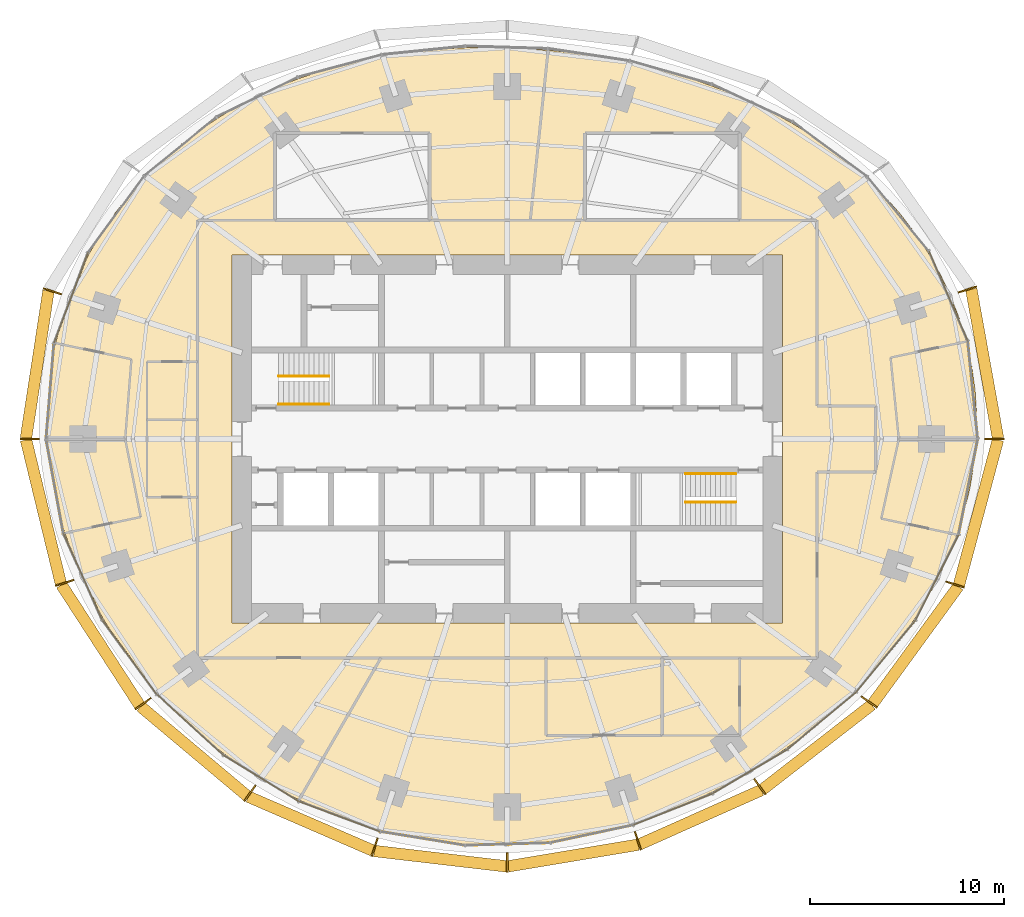
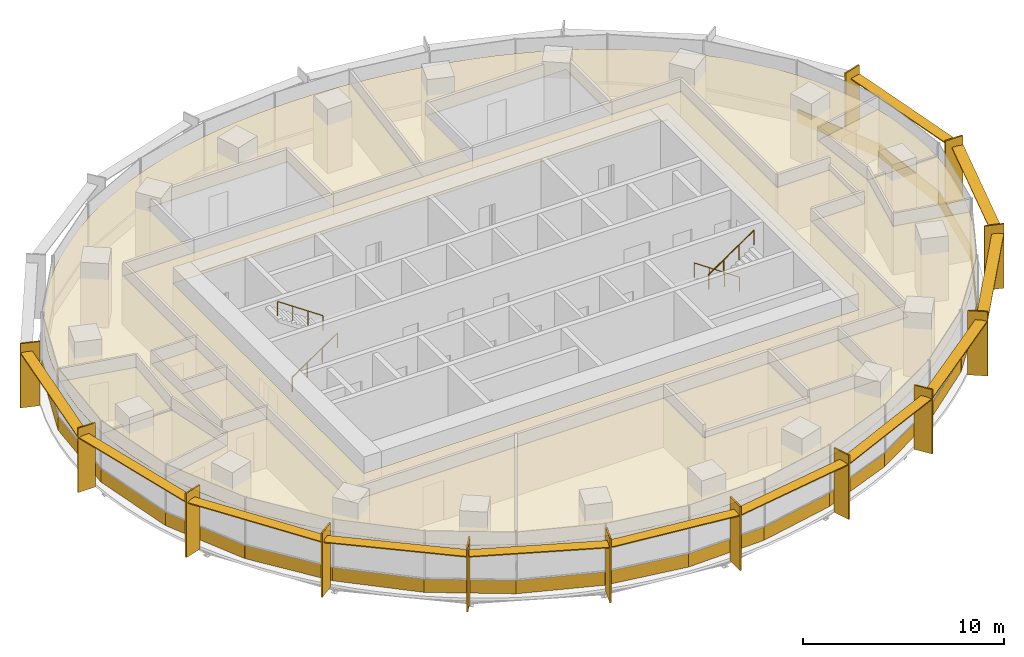
# One storey, part 13 of 14: 30 coverings, 25 shading devices, 4 railings.
"""IFC4 building model written with IfcOpenShell, lengths in metres."""

from ifc_helpers import new_model, si_unit, direction, frame, origin, origin_2d, place, context, subcontext, project, spatial, polyline, rectangle, circle, outline, extrude, material, layer, layer_set, type_object, element, save


model = new_model("IFC4")

# Units and contexts
model_context = context("Model", 3, precision=1e-05, world=origin(), true_north=direction((0.0, 1.0)))
body_context = subcontext(model_context, "Body", "Model", "MODEL_VIEW")
ifc_project = project(units=[si_unit("LENGTHUNIT", "METRE"), si_unit("AREAUNIT", "SQUARE_METRE"), si_unit("VOLUMEUNIT", "CUBIC_METRE"), si_unit("PLANEANGLEUNIT", "RADIAN"), si_unit("MASSUNIT", "GRAM", prefix="KILO")], contexts=[model_context])

# Site, building, storey
site_placement = place(None, origin())
site = spatial("IfcSite", under=ifc_project, at=site_placement, CompositionType="ELEMENT")
building_placement = place(site_placement, origin())
building = spatial("IfcBuilding", under=site, at=building_placement, Name="Marramba Exchange Tower", CompositionType="ELEMENT")
storey_placement = place(building_placement, frame((0.0, 0.0, 183.800048828125)))
storey = spatial("IfcBuildingStorey", under=building, at=storey_placement, Name="L44", CompositionType="ELEMENT", Elevation=183.800048828125)

# Shading devices
ifc_material_1 = material(Name="Aluminium blade, timber-look bronze finish", Category="wood")
ifc_layer_1 = layer(ifc_material_1, 0.080078125)
ifc_layer_set_1 = layer_set([ifc_layer_1], Name="Floor-edge blade 1000x80")
shading_device_type_1 = type_object("IfcShadingDeviceType", Name="Floor-edge blade 1000x80", PredefinedType="USERDEFINED", material=ifc_layer_set_1)
for number, where, z_axis, x_axis, name in (
    (1, (25.14404296875, 0.0, -0.159912109375), (0.0, 0.0, 1.0), (1.0, 0.0, 0.0), "Floor-edge blade FB1 L44 TC01"),
    (2, (23.757080078125, 7.718994140625, -0.159912109375), (0.0, 0.0, 1.0), (0.951056516295, 0.309016994375, 0.0), "Floor-edge blade FB1 L44 TC02"),
    (3, (-23.488525390625, 7.6318359375, -0.159912109375), (0.0, 0.0, 1.0), (-0.951056516295, 0.309016994375, 0.0), "Floor-edge blade FB1 L44 TC10"),
    (4, (-24.656005859375, 0.0, -0.159912109375), (0.0, 0.0, 1.0), (-1.0, 0.0, 0.0), "Floor-edge blade FB1 L44 TC11"),
    (5, (-22.848876953125, -7.424072265625, -0.159912109375), (0.0, 0.0, 1.0), (-0.951056516295, -0.309016994375, 0.0), "Floor-edge blade FB1 L44 TC12"),
    (6, (-18.7998046875, -13.658935546875, -0.159912109375), (0.0, 0.0, 1.0), (-0.809016994375, -0.587785252292, 0.0), "Floor-edge blade FB1 L44 TC13"),
    (7, (-13.2841796875, -18.2841796875, -0.159912109375), (0.0, 0.0, 1.0), (-0.587785252292, -0.809016994375, 0.0), "Floor-edge blade FB1 L44 TC14"),
    (8, (-6.845703125, -21.069091796875, -0.159912109375), (0.0, 0.0, 1.0), (-0.309016994375, -0.951056516295, 0.0), "Floor-edge blade FB1 L44 TC15"),
    (9, (0.0, -21.86376953125, -0.159912109375), (0.0, 0.0, 1.0), (0.0, -1.0, 0.0), "Floor-edge blade FB1 L44 TC16"),
    (10, (6.739501953125, -20.741943359375, -0.159912109375), (0.0, 0.0, 1.0), (0.309016994375, -0.951056516295, 0.0), "Floor-edge blade FB1 L44 TC17"),
    (11, (13.0380859375, -17.9453125, -0.159912109375), (0.0, 0.0, 1.0), (0.587785252292, -0.809016994375, 0.0), "Floor-edge blade FB1 L44 TC18"),
    (12, (18.6845703125, -13.5751953125, -0.159912109375), (0.0, 0.0, 1.0), (0.809016994375, -0.587785252292, 0.0), "Floor-edge blade FB1 L44 TC19"),
    (13, (23.1171875, -7.51123046875, -0.159912109375), (0.0, 0.0, 1.0), (0.951056516295, -0.309016994375, 0.0), "Floor-edge blade FB1 L44 TC20"),
):
    element("IfcShadingDevice", number, at=place(storey_placement, frame(where, z_axis=z_axis, x_axis=x_axis)), inside=storey, type_object=shading_device_type_1, Name=name, ObjectType="FIN", PredefinedType="USERDEFINED", context=body_context, shape_type="SweptSolid", body=[
        extrude(rectangle(XDim=1.0, YDim=0.080078125, at=origin_2d()), origin(), (0.0, 0.0, 1.0), 3.89990234375),
    ])
ifc_material_2 = material(Name="Aluminium sunshade, bronze anodised", Category="aluminium")
ifc_layer_2 = layer(ifc_material_2, 0.06005859375)
ifc_layer_set_2 = layer_set([ifc_layer_2], Name="SUNSHADE blade 600x60")
shading_device_type_2 = type_object("IfcShadingDeviceType", Name="SUNSHADE blade 600x60", PredefinedType="USERDEFINED", material=ifc_layer_set_2)
shading_device_1_placement = place(storey_placement, frame((24.6455078125, 3.890380859375, 3.159912109375), z_axis=(0.0, 0.0, 1.0), x_axis=(-0.176690623809, 0.984266439262, 0.0)))
element("IfcShadingDevice", 14, at=shading_device_1_placement, inside=storey, type_object=shading_device_type_2, Name="Sunshade SS1 L44 bay 01", ObjectType="SUNSHADE", PredefinedType="USERDEFINED", context=body_context, shape_type="SweptSolid", body=[
    extrude(rectangle(XDim=7.8251953125, YDim=0.60009765625, at=origin_2d()), origin(), (0.0, 0.0, 1.0), 0.06005859375),
])
shading_device_2_placement = place(storey_placement, frame((-24.267333984375, 3.846923828125, 3.159912109375), z_axis=(0.0, 0.0, 1.0), x_axis=(-0.151240669327, -0.988496970123, 0.0)))
element("IfcShadingDevice", 15, at=shading_device_2_placement, inside=storey, type_object=shading_device_type_2, Name="Sunshade SS1 L44 bay 10", ObjectType="SUNSHADE", PredefinedType="USERDEFINED", context=body_context, shape_type="SweptSolid", body=[
    extrude(rectangle(XDim=7.703369140625, YDim=0.60009765625, at=origin_2d()), origin(), (0.0, 0.0, 1.0), 0.06005859375),
])
shading_device_3_placement = place(storey_placement, frame((-23.947509765625, -3.742919921875, 3.159912109375), z_axis=(0.0, 0.0, 1.0), x_axis=(0.235861488454, -0.971786683519, 0.0)))
element("IfcShadingDevice", 16, at=shading_device_3_placement, inside=storey, type_object=shading_device_type_2, Name="Sunshade SS1 L44 bay 11", ObjectType="SUNSHADE", PredefinedType="USERDEFINED", context=body_context, shape_type="SweptSolid", body=[
    extrude(rectangle(XDim=7.623291015625, YDim=0.60009765625, at=origin_2d()), origin(), (0.0, 0.0, 1.0), 0.06005859375),
])
shading_device_4_placement = place(storey_placement, frame((-21.000244140625, -10.631103515625, 3.159912109375), z_axis=(0.0, 0.0, 1.0), x_axis=(0.543921771105, -0.839135928749, 0.0)))
element("IfcShadingDevice", 17, at=shading_device_4_placement, inside=storey, type_object=shading_device_type_2, Name="Sunshade SS1 L44 bay 12", ObjectType="SUNSHADE", PredefinedType="USERDEFINED", context=body_context, shape_type="SweptSolid", body=[
    extrude(rectangle(XDim=7.41650390625, YDim=0.60009765625, at=origin_2d()), origin(), (0.0, 0.0, 1.0), 0.06005859375),
])
shading_device_5_placement = place(storey_placement, frame((-16.181640625, -16.111083984375, 3.159912109375), z_axis=(0.0, 0.0, 1.0), x_axis=(0.765761970568, -0.643124097225, 0.0)))
element("IfcShadingDevice", 18, at=shading_device_5_placement, inside=storey, type_object=shading_device_type_2, Name="Sunshade SS1 L44 bay 13", ObjectType="SUNSHADE", PredefinedType="USERDEFINED", context=body_context, shape_type="SweptSolid", body=[
    extrude(rectangle(XDim=7.1806640625, YDim=0.60009765625, at=origin_2d()), origin(), (0.0, 0.0, 1.0), 0.06005859375),
])
shading_device_6_placement = place(storey_placement, frame((-10.154541015625, -19.8525390625, 3.159912109375), z_axis=(0.0, 0.0, 1.0), x_axis=(0.917589256742, -0.397529817639, 0.0)))
element("IfcShadingDevice", 19, at=shading_device_6_placement, inside=storey, type_object=shading_device_type_2, Name="Sunshade SS1 L44 bay 14", ObjectType="SUNSHADE", PredefinedType="USERDEFINED", context=body_context, shape_type="SweptSolid", body=[
    extrude(rectangle(XDim=6.997314453125, YDim=0.60009765625, at=origin_2d()), origin(), (0.0, 0.0, 1.0), 0.06005859375),
])
shading_device_7_placement = place(storey_placement, frame((-3.453857421875, -21.66162109375, 3.159912109375), z_axis=(0.0, 0.0, 1.0), x_axis=(0.993288257497, -0.1156651958, 0.0)))
element("IfcShadingDevice", 20, at=shading_device_7_placement, inside=storey, type_object=shading_device_type_2, Name="Sunshade SS1 L44 bay 15", ObjectType="SUNSHADE", PredefinedType="USERDEFINED", context=body_context, shape_type="SweptSolid", body=[
    extrude(rectangle(XDim=6.874267578125, YDim=0.60009765625, at=origin_2d()), origin(), (0.0, 0.0, 1.0), 0.06005859375),
])
shading_device_8_placement = place(storey_placement, frame((3.400634765625, -21.498046875, 3.159912109375), z_axis=(0.0, 0.0, 1.0), x_axis=(0.986439622954, 0.164124557168, 0.0)))
element("IfcShadingDevice", 21, at=shading_device_8_placement, inside=storey, type_object=shading_device_type_2, Name="Sunshade SS1 L44 bay 16", ObjectType="SUNSHADE", PredefinedType="USERDEFINED", context=body_context, shape_type="SweptSolid", body=[
    extrude(rectangle(XDim=6.814697265625, YDim=0.60009765625, at=origin_2d()), origin(), (0.0, 0.0, 1.0), 0.06005859375),
])
shading_device_9_placement = place(storey_placement, frame((9.978515625, -19.519775390625, 3.159912109375), z_axis=(0.0, 0.0, 1.0), x_axis=(0.913771678576, 0.406228161792, 0.0)))
element("IfcShadingDevice", 22, at=shading_device_9_placement, inside=storey, type_object=shading_device_type_2, Name="Sunshade SS1 L44 bay 17", ObjectType="SUNSHADE", PredefinedType="USERDEFINED", context=body_context, shape_type="SweptSolid", body=[
    extrude(rectangle(XDim=6.8740234375, YDim=0.60009765625, at=origin_2d()), origin(), (0.0, 0.0, 1.0), 0.06005859375),
])
shading_device_10_placement = place(storey_placement, frame((16.0009765625, -15.89990234375, 3.159912109375), z_axis=(0.0, 0.0, 1.0), x_axis=(0.790133082515, 0.612935324414, 0.0)))
element("IfcShadingDevice", 23, at=shading_device_10_placement, inside=storey, type_object=shading_device_type_2, Name="Sunshade SS1 L44 bay 18", ObjectType="SUNSHADE", PredefinedType="USERDEFINED", context=body_context, shape_type="SweptSolid", body=[
    extrude(rectangle(XDim=7.122314453125, YDim=0.60009765625, at=origin_2d()), origin(), (0.0, 0.0, 1.0), 0.06005859375),
])
shading_device_11_placement = place(storey_placement, frame((21.076904296875, -10.6328125, 3.159912109375), z_axis=(0.0, 0.0, 1.0), x_axis=(0.589071758439, 0.808080728275, 0.0)))
element("IfcShadingDevice", 24, at=shading_device_11_placement, inside=storey, type_object=shading_device_type_2, Name="Sunshade SS1 L44 bay 19", ObjectType="SUNSHADE", PredefinedType="USERDEFINED", context=body_context, shape_type="SweptSolid", body=[
    extrude(rectangle(XDim=7.4931640625, YDim=0.60009765625, at=origin_2d()), origin(), (0.0, 0.0, 1.0), 0.06005859375),
])
shading_device_12_placement = place(storey_placement, frame((24.32568359375, -3.78662109375, 3.159912109375), z_axis=(0.0, 0.0, 1.0), x_axis=(0.259692365654, 0.965691397508, 0.0)))
element("IfcShadingDevice", 25, at=shading_device_12_placement, inside=storey, type_object=shading_device_type_2, Name="Sunshade SS1 L44 bay 20", ObjectType="SUNSHADE", PredefinedType="USERDEFINED", context=body_context, shape_type="SweptSolid", body=[
    extrude(rectangle(XDim=7.76220703125, YDim=0.60009765625, at=origin_2d()), origin(), (0.0, 0.0, 1.0), 0.06005859375),
])

# Coverings
ifc_material_3 = material(Name="Aluminium spandrel panel, bronze anodised, insulated", Category="aluminium")
ifc_layer_3 = layer(ifc_material_3, 0.050048828125)
ifc_layer_set_3 = layer_set([ifc_layer_3], Name="Spandrel panel 800")
covering_type_1 = type_object("IfcCoveringType", Name="Spandrel panel 800", PredefinedType="CLADDING", material=ifc_layer_set_3)
covering_1_placement = place(storey_placement, frame((24.036376953125, 2.527099609375, 0.0), z_axis=(0.0, 0.0, 1.0), x_axis=(-0.101422478545, 0.994843445395, 0.0)))
element("IfcCovering", 26, at=covering_1_placement, inside=storey, type_object=covering_type_1, Name="Spandrel panel SP1 L44 F01", PredefinedType="CLADDING", context=body_context, shape_type="SweptSolid", body=[
    extrude(rectangle(XDim=5.08056640625, YDim=0.050048828125, at=origin_2d()), origin(), (0.0, 0.0, 1.0), 0.800048828125),
])
covering_2_placement = place(storey_placement, frame((22.77734375, 7.374755859375, 0.0), z_axis=(0.0, 0.0, 1.0), x_axis=(-0.396193349205, 0.918167103552, 0.0)))
element("IfcCovering", 27, at=covering_2_placement, inside=storey, type_object=covering_type_1, Name="Spandrel panel SP1 L44 F02", PredefinedType="CLADDING", context=body_context, shape_type="SweptSolid", body=[
    extrude(rectangle(XDim=5.0546875, YDim=0.050048828125, at=origin_2d()), origin(), (0.0, 0.0, 1.0), 0.800048828125),
])
covering_3_placement = place(storey_placement, frame((-22.518798828125, 7.30419921875, 0.0), z_axis=(0.0, 0.0, 1.0), x_axis=(-0.351951514464, -0.936018232443, 0.0)))
element("IfcCovering", 28, at=covering_3_placement, inside=storey, type_object=covering_type_1, Name="Spandrel panel SP1 L44 F14", PredefinedType="CLADDING", context=body_context, shape_type="SweptSolid", body=[
    extrude(rectangle(XDim=4.981689453125, YDim=0.050048828125, at=origin_2d()), origin(), (0.0, 0.0, 1.0), 0.800048828125),
])
covering_4_placement = place(storey_placement, frame((-23.600830078125, 2.486328125, 0.0), z_axis=(0.0, 0.0, 1.0), x_axis=(-0.082280881776, -0.996609179415, 0.0)))
element("IfcCovering", 29, at=covering_4_placement, inside=storey, type_object=covering_type_1, Name="Spandrel panel SP1 L44 F15", PredefinedType="CLADDING", context=body_context, shape_type="SweptSolid", body=[
    extrude(rectangle(XDim=4.98974609375, YDim=0.050048828125, at=origin_2d()), origin(), (0.0, 0.0, 1.0), 0.800048828125),
])
covering_5_placement = place(storey_placement, frame((-23.359619140625, -2.43505859375, 0.0), z_axis=(0.0, 0.0, 1.0), x_axis=(0.180327442841, -0.983606635479, 0.0)))
element("IfcCovering", 30, at=covering_5_placement, inside=storey, type_object=covering_type_1, Name="Spandrel panel SP1 L44 F16", PredefinedType="CLADDING", context=body_context, shape_type="SweptSolid", body=[
    extrude(rectangle(XDim=4.951416015625, YDim=0.050048828125, at=origin_2d()), origin(), (0.0, 0.0, 1.0), 0.800048828125),
])
covering_6_placement = place(storey_placement, frame((-21.920654296875, -7.093994140625, 0.0), z_axis=(0.0, 0.0, 1.0), x_axis=(0.407557582153, -0.913179509861, 0.0)))
element("IfcCovering", 31, at=covering_6_placement, inside=storey, type_object=covering_type_1, Name="Spandrel panel SP1 L44 F17", PredefinedType="CLADDING", context=body_context, shape_type="SweptSolid", body=[
    extrude(rectangle(XDim=4.870361328125, YDim=0.050048828125, at=origin_2d()), origin(), (0.0, 0.0, 1.0), 0.800048828125),
])
covering_7_placement = place(storey_placement, frame((-19.520263671875, -11.238525390625, 0.0), z_axis=(0.0, 0.0, 1.0), x_axis=(0.591223097085, -0.80650805915, 0.0)))
element("IfcCovering", 32, at=covering_7_placement, inside=storey, type_object=covering_type_1, Name="Spandrel panel SP1 L44 F18", PredefinedType="CLADDING", context=body_context, shape_type="SweptSolid", body=[
    extrude(rectangle(XDim=4.762939453125, YDim=0.050048828125, at=origin_2d()), origin(), (0.0, 0.0, 1.0), 0.800048828125),
])
covering_8_placement = place(storey_placement, frame((-16.396240234375, -14.73193359375, 0.0), z_axis=(0.0, 0.0, 1.0), x_axis=(0.737203259599, -0.67567103981, 0.0)))
element("IfcCovering", 33, at=covering_8_placement, inside=storey, type_object=covering_type_1, Name="Spandrel panel SP1 L44 F19", PredefinedType="CLADDING", context=body_context, shape_type="SweptSolid", body=[
    extrude(rectangle(XDim=4.65478515625, YDim=0.050048828125, at=origin_2d()), origin(), (0.0, 0.0, 1.0), 0.800048828125),
])
covering_9_placement = place(storey_placement, frame((-12.73583984375, -17.497802734375, 0.0), z_axis=(0.0, 0.0, 1.0), x_axis=(0.852301010692, -0.52305161043, 0.0)))
element("IfcCovering", 34, at=covering_9_placement, inside=storey, type_object=covering_type_1, Name="Spandrel panel SP1 L44 F20", PredefinedType="CLADDING", context=body_context, shape_type="SweptSolid", body=[
    extrude(rectangle(XDim=4.563232421875, YDim=0.050048828125, at=origin_2d()), origin(), (0.0, 0.0, 1.0), 0.800048828125),
])
covering_10_placement = place(storey_placement, frame((-8.687255859375, -19.47607421875, 0.0), z_axis=(0.0, 0.0, 1.0), x_axis=(0.936951581946, -0.349459200892, 0.0)))
element("IfcCovering", 35, at=covering_10_placement, inside=storey, type_object=covering_type_1, Name="Spandrel panel SP1 L44 F21", PredefinedType="CLADDING", context=body_context, shape_type="SweptSolid", body=[
    extrude(rectangle(XDim=4.491455078125, YDim=0.050048828125, at=origin_2d()), origin(), (0.0, 0.0, 1.0), 0.800048828125),
])
covering_11_placement = place(storey_placement, frame((-4.393798828125, -20.6181640625, 0.0), z_axis=(0.0, 0.0, 1.0), x_axis=(0.98693062179, -0.161145734582, 0.0)))
element("IfcCovering", 36, at=covering_11_placement, inside=storey, type_object=covering_type_1, Name="Spandrel panel SP1 L44 F22", PredefinedType="CLADDING", context=body_context, shape_type="SweptSolid", body=[
    extrude(rectangle(XDim=4.4365234375, YDim=0.050048828125, at=origin_2d()), origin(), (0.0, 0.0, 1.0), 0.800048828125),
])
covering_12_placement = place(storey_placement, frame((-0.0068359375, -20.9111328125, 0.0), z_axis=(0.0, 0.0, 1.0), x_axis=(0.99956791932, 0.02939344597, 0.0)))
element("IfcCovering", 37, at=covering_12_placement, inside=storey, type_object=covering_type_1, Name="Spandrel panel SP1 L44 F23", PredefinedType="CLADDING", context=body_context, shape_type="SweptSolid", body=[
    extrude(rectangle(XDim=4.3974609375, YDim=0.050048828125, at=origin_2d()), origin(), (0.0, 0.0, 1.0), 0.800048828125),
])
covering_13_placement = place(storey_placement, frame((4.333984375, -20.389892578125, 0.0), z_axis=(0.0, 0.0, 1.0), x_axis=(0.978058068956, 0.208332459664, 0.0)))
element("IfcCovering", 38, at=covering_13_placement, inside=storey, type_object=covering_type_1, Name="Spandrel panel SP1 L44 F24", PredefinedType="CLADDING", context=body_context, shape_type="SweptSolid", body=[
    extrude(rectangle(XDim=4.3818359375, YDim=0.050048828125, at=origin_2d()), origin(), (0.0, 0.0, 1.0), 0.800048828125),
])
covering_14_placement = place(storey_placement, frame((8.525390625, -19.124267578125, 0.0), z_axis=(0.0, 0.0, 1.0), x_axis=(0.93007301151, 0.367374731386, 0.0)))
element("IfcCovering", 39, at=covering_14_placement, inside=storey, type_object=covering_type_1, Name="Spandrel panel SP1 L44 F25", PredefinedType="CLADDING", context=body_context, shape_type="SweptSolid", body=[
    extrude(rectangle(XDim=4.405517578125, YDim=0.050048828125, at=origin_2d()), origin(), (0.0, 0.0, 1.0), 0.800048828125),
])
covering_15_placement = place(storey_placement, frame((12.50634765625, -17.175537109375, 0.0), z_axis=(0.0, 0.0, 1.0), x_axis=(0.861350829898, 0.508010578466, 0.0)))
element("IfcCovering", 40, at=covering_15_placement, inside=storey, type_object=covering_type_1, Name="Spandrel panel SP1 L44 F26", PredefinedType="CLADDING", context=body_context, shape_type="SweptSolid", body=[
    extrude(rectangle(XDim=4.486572265625, YDim=0.050048828125, at=origin_2d()), origin(), (0.0, 0.0, 1.0), 0.800048828125),
])
covering_16_placement = place(storey_placement, frame((16.2177734375, -14.5556640625, 0.0), z_axis=(0.0, 0.0, 1.0), x_axis=(0.768736803132, 0.639565264465, 0.0)))
element("IfcCovering", 41, at=covering_16_placement, inside=storey, type_object=covering_type_1, Name="Spandrel panel SP1 L44 F27", PredefinedType="CLADDING", context=body_context, shape_type="SweptSolid", body=[
    extrude(rectangle(XDim=4.628662109375, YDim=0.050048828125, at=origin_2d()), origin(), (0.0, 0.0, 1.0), 0.800048828125),
])
covering_17_placement = place(storey_placement, frame((19.529541015625, -11.2265625, 0.0), z_axis=(0.0, 0.0, 1.0), x_axis=(0.638149992226, 0.769912064733, 0.0)))
element("IfcCovering", 42, at=covering_17_placement, inside=storey, type_object=covering_type_1, Name="Spandrel panel SP1 L44 F28", PredefinedType="CLADDING", context=body_context, shape_type="SweptSolid", body=[
    extrude(rectangle(XDim=4.80322265625, YDim=0.050048828125, at=origin_2d()), origin(), (0.0, 0.0, 1.0), 0.800048828125),
])
covering_18_placement = place(storey_placement, frame((22.17919921875, -7.16455078125, 0.0), z_axis=(0.0, 0.0, 1.0), x_axis=(0.450673091404, 0.892689063832, 0.0)))
element("IfcCovering", 43, at=covering_18_placement, inside=storey, type_object=covering_type_1, Name="Spandrel panel SP1 L44 F29", PredefinedType="CLADDING", context=body_context, shape_type="SweptSolid", body=[
    extrude(rectangle(XDim=4.957763671875, YDim=0.050048828125, at=origin_2d()), origin(), (0.0, 0.0, 1.0), 0.800048828125),
])
covering_19_placement = place(storey_placement, frame((23.795166015625, -2.475830078125, 0.0), z_axis=(0.0, 0.0, 1.0), x_axis=(0.197495401381, 0.980303813332, 0.0)))
element("IfcCovering", 44, at=covering_19_placement, inside=storey, type_object=covering_type_1, Name="Spandrel panel SP1 L44 F30", PredefinedType="CLADDING", context=body_context, shape_type="SweptSolid", body=[
    extrude(rectangle(XDim=5.05126953125, YDim=0.050048828125, at=origin_2d()), origin(), (0.0, 0.0, 1.0), 0.800048828125),
])

# Railings
ifc_material_4 = material(Name="Stainless steel handrail", Category="steel")
railing_type = type_object("IfcRailingType", Name="Stair handrail 900", PredefinedType="HANDRAIL", material=ifc_material_4)
railing_1_placement = place(storey_placement, frame((-11.800048828125, 1.800048828125, 0.17724609375)))
element("IfcRailing", 45, at=railing_1_placement, inside=storey, type_object=railing_type, Name="Handrail HR1 ST1 L44 flight 1", PredefinedType="HANDRAIL", context=body_context, shape_type="SweptSolid", body=[
    extrude(circle(Radius=0.02392578125, at=origin_2d()), frame((0.0, 0.0, 0.8759765625), z_axis=(0.826240473404, 0.0, 0.563317565952), x_axis=(0.0, 1.0, 0.0)), (0.0, 0.0, 1.0), 3.14697265625),
    extrude(circle(Radius=0.02099609375, at=origin_2d()), origin(), (0.0, 0.0, 1.0), 0.851806640625),
    extrude(circle(Radius=0.02099609375, at=origin_2d()), frame((0.86669921875, 0.0, 0.5908203125)), (0.0, 0.0, 1.0), 0.851806640625),
    extrude(circle(Radius=0.02099609375, at=origin_2d()), frame((1.7333984375, 0.0, 1.181884765625)), (0.0, 0.0, 1.0), 0.851806640625),
    extrude(circle(Radius=0.02099609375, at=origin_2d()), frame((2.60009765625, 0.0, 1.772705078125)), (0.0, 0.0, 1.0), 0.851806640625),
])
for number, where, name in (
    (46, (-9.199951171875, 3.25, 2.127197265625), "Handrail HR1 ST1 L44 flight 2"),
    (47, (11.800048828125, -1.800048828125, 0.17724609375), "Handrail HR1 ST2 L44 flight 1"),
):
    element("IfcRailing", number, at=place(storey_placement, frame(where)), inside=storey, type_object=railing_type, Name=name, PredefinedType="HANDRAIL", context=body_context, shape_type="SweptSolid", body=[
        extrude(circle(Radius=0.02392578125, at=origin_2d()), frame((0.0, 0.0, 0.8759765625), z_axis=(-0.826240473404, 0.0, 0.563317565952), x_axis=(0.0, -1.0, 0.0)), (0.0, 0.0, 1.0), 3.14697265625),
        extrude(circle(Radius=0.02099609375, at=origin_2d()), origin(), (0.0, 0.0, 1.0), 0.851806640625),
        extrude(circle(Radius=0.02099609375, at=origin_2d()), frame((-0.86669921875, 0.0, 0.5908203125)), (0.0, 0.0, 1.0), 0.851806640625),
        extrude(circle(Radius=0.02099609375, at=origin_2d()), frame((-1.7333984375, 0.0, 1.181884765625)), (0.0, 0.0, 1.0), 0.851806640625),
        extrude(circle(Radius=0.02099609375, at=origin_2d()), frame((-2.60009765625, 0.0, 1.772705078125)), (0.0, 0.0, 1.0), 0.851806640625),
    ])
railing_2_placement = place(storey_placement, frame((9.199951171875, -3.25, 2.127197265625)))
element("IfcRailing", 48, at=railing_2_placement, inside=storey, type_object=railing_type, Name="Handrail HR1 ST2 L44 flight 2", PredefinedType="HANDRAIL", context=body_context, shape_type="SweptSolid", body=[
    extrude(circle(Radius=0.02392578125, at=origin_2d()), frame((0.0, 0.0, 0.8759765625), z_axis=(0.826240473404, 0.0, 0.563317565952), x_axis=(0.0, 1.0, 0.0)), (0.0, 0.0, 1.0), 3.14697265625),
    extrude(circle(Radius=0.02099609375, at=origin_2d()), origin(), (0.0, 0.0, 1.0), 0.851806640625),
    extrude(circle(Radius=0.02099609375, at=origin_2d()), frame((0.86669921875, 0.0, 0.5908203125)), (0.0, 0.0, 1.0), 0.851806640625),
    extrude(circle(Radius=0.02099609375, at=origin_2d()), frame((1.7333984375, 0.0, 1.181884765625)), (0.0, 0.0, 1.0), 0.851806640625),
    extrude(circle(Radius=0.02099609375, at=origin_2d()), frame((2.60009765625, 0.0, 1.772705078125)), (0.0, 0.0, 1.0), 0.851806640625),
])

# Coverings
ifc_material_5 = material(Name="Mineral fibre ceiling tiles", Category="gypsum")
ifc_layer_4 = layer(ifc_material_5, 0.02001953125)
ifc_layer_set_4 = layer_set([ifc_layer_4], Name="Suspended ceiling 20")
covering_type_2 = type_object("IfcCoveringType", Name="Suspended ceiling 20", PredefinedType="CEILING", material=ifc_layer_set_4)
covering_20_placement = place(storey_placement, frame((0.0, 0.0, 2.89990234375)))
element("IfcCovering", 49, at=covering_20_placement, inside=storey, type_object=covering_type_2, Name="Ceiling CL1 L44 Open Plan Office 1", PredefinedType="CEILING", context=body_context, shape_type="SweptSolid", body=[
    extrude(outline(polyline([(16.0, -1.699951171875), (19.0, -1.699951171875), (19.0, 1.699951171875), (16.0, 1.699951171875), (16.0, 11.300048828125), (12.0, 11.300048828125), (12.0, 15.800048828125), (4.0, 15.800048828125), (4.0, 11.300048828125), (1.187744140625, 11.300048828125), (2.1103515625, 20.077880859375), (3.16259765625, 19.96728515625), (4.214111328125, 19.82568359375), (5.265869140625, 19.65234375), (6.318359375, 19.445556640625), (7.371826171875, 19.2041015625), (8.426025390625, 18.92529296875), (9.480712890625, 18.60693359375), (10.5341796875, 18.245849609375), (11.584716796875, 17.839111328125), (12.6298828125, 17.383544921875), (13.666259765625, 16.87646484375), (14.689453125, 16.314453125), (15.695068359375, 15.695068359375), (16.67724609375, 15.016357421875), (17.6298828125, 14.276611328125), (18.54638671875, 13.474853515625), (19.41943359375, 12.611083984375), (20.24169921875, 11.6865234375), (21.00537109375, 10.70263671875), (21.702880859375, 9.662841796875), (22.32763671875, 8.57080078125), (22.87255859375, 7.431640625), (23.331787109375, 6.251708984375), (23.700439453125, 5.03759765625), (19.787841796875, 4.2060546875), (20.214111328125, 0.0), (19.3056640625, -4.103515625), (23.218017578125, -4.935302734375), (22.760986328125, -6.098876953125), (22.23291015625, -7.223876953125), (21.639892578125, -8.306884765625), (20.989013671875, -9.344970703125), (20.286865234375, -10.336669921875), (19.539794921875, -11.28125), (18.753173828125, -12.178466796875), (17.93212890625, -13.028564453125), (17.08154296875, -13.832275390625), (16.204833984375, -14.5908203125), (15.30517578125, -15.30517578125), (14.38525390625, -15.976318359375), (13.44677734375, -16.60546875), (12.491455078125, -17.193115234375), (11.520263671875, -17.73974609375), (10.5341796875, -18.245849609375), (9.53369140625, -18.711181640625), (8.51953125, -19.13525390625), (7.4921875, -19.517578125), (6.4521484375, -19.857421875), (5.400146484375, -20.153564453125), (4.337158203125, -20.404541015625), (3.26416015625, -20.609619140625), (2.1826171875, -20.766845703125), (1.093994140625, -20.875244140625), (0.0, -20.93359375), (-1.097412109375, -20.94091796875), (-2.1962890625, -20.89599609375), (-3.294189453125, -20.79833984375), (-4.388916015625, -20.6474609375), (-5.477783203125, -20.44287109375), (-6.558349609375, -20.184814453125), (-7.62841796875, -19.873046875), (-8.685546875, -19.50830078125), (-9.727294921875, -19.091064453125), (-10.75146484375, -18.621826171875), (-6.524169921875, -11.300048828125), (2.0, -11.300048828125), (2.0, -15.300048828125), (8.0, -15.300048828125), (12.0, -15.300048828125), (12.0, -11.300048828125), (16.0, -11.300048828125), (16.0, -1.699951171875)])), origin(), (0.0, 0.0, 1.0), 0.02001953125),
])
covering_21_placement = place(storey_placement, frame((0.0, 0.0, 2.89990234375)))
element("IfcCovering", 50, at=covering_21_placement, inside=storey, type_object=covering_type_2, Name="Ceiling CL1 L44 Open Plan Office 2", PredefinedType="CEILING", context=body_context, shape_type="SweptSolid", body=[
    extrude(outline(polyline([(-16.0, 4.0), (-18.60009765625, 4.0), (-18.60009765625, 1.0), (-18.60009765625, -3.0), (-16.0, -3.0), (-16.0, -11.300048828125), (-6.524169921875, -11.300048828125), (-10.75146484375, -18.621826171875), (-11.755615234375, -18.101806640625), (-12.737548828125, -17.53173828125), (-13.6953125, -16.912353515625), (-14.626953125, -16.2451171875), (-15.5302734375, -15.5302734375), (-16.403076171875, -14.769287109375), (-17.242919921875, -13.962890625), (-18.04736328125, -13.1123046875), (-18.81396484375, -12.218017578125), (-19.539794921875, -11.28125), (-20.22119140625, -10.30322265625), (-20.85498046875, -9.285400390625), (-21.4375, -8.22900390625), (-21.96435546875, -7.13671875), (-22.431640625, -6.010498046875), (-22.8349609375, -4.853759765625), (-18.92236328125, -4.022216796875), (-19.72607421875, 0.0), (-19.404541015625, 4.12451171875), (-23.317138671875, 4.956298828125), (-23.002197265625, 6.163330078125), (-22.604248046875, 7.344482421875), (-22.125244140625, 8.4931640625), (-21.569091796875, 9.603271484375), (-20.939697265625, 10.669189453125), (-20.24169921875, 11.6865234375), (-19.48046875, 12.650634765625), (-18.66162109375, 13.55859375), (-17.79150390625, 14.4072265625), (-16.87548828125, 15.19482421875), (-15.920166015625, 15.920166015625), (-14.931396484375, 16.5830078125), (-13.914794921875, 17.183349609375), (-12.8759765625, 17.722412109375), (-11.820068359375, 18.201171875), (-10.75146484375, 18.621826171875), (-9.67431640625, 18.98681640625), (-8.59228515625, 19.29833984375), (-7.50830078125, 19.559326171875), (-6.424560546875, 19.77294921875), (-5.34326171875, 19.941650390625), (-4.265625, 20.068603515625), (-3.1923828125, 20.15625), (-2.123779296875, 20.20703125), (-1.059814453125, 20.22314453125), (0.0, 20.206298828125), (1.056396484375, 20.15771484375), (2.1103515625, 20.077880859375), (1.187744140625, 11.300048828125), (-4.0, 11.300048828125), (-4.0, 15.800048828125), (-12.0, 15.800048828125), (-12.0, 11.300048828125), (-16.0, 11.300048828125), (-16.0, 4.0)])), origin(), (0.0, 0.0, 1.0), 0.02001953125),
])
covering_22_placement = place(storey_placement, frame((0.0, 0.0, 2.89990234375)))
element("IfcCovering", 51, at=covering_22_placement, inside=storey, type_object=covering_type_2, Name="Ceiling CL1 L44 Corridor", PredefinedType="CEILING", context=body_context, shape_type="SweptSolid", body=[
    extrude(outline(polyline([(19.0, 1.699951171875), (19.0, -1.699951171875), (16.0, -1.699951171875), (16.0, -11.300048828125), (-16.0, -11.300048828125), (-16.0, 11.300048828125), (16.0, 11.300048828125), (16.0, 1.699951171875), (19.0, 1.699951171875)]), holes=[polyline([(14.199951171875, -1.699951171875), (14.199951171875, 1.699951171875), (14.199951171875, 9.5), (-14.199951171875, 9.5), (-14.199951171875, -9.5), (14.199951171875, -9.5), (14.199951171875, -1.699951171875)])]), origin(), (0.0, 0.0, 1.0), 0.02001953125),
])
covering_23_placement = place(storey_placement, frame((0.0, 0.0, 2.89990234375)))
element("IfcCovering", 52, at=covering_23_placement, inside=storey, type_object=covering_type_2, Name="Ceiling CL1 L44 Office 1", PredefinedType="CEILING", context=body_context, shape_type="SweptSolid", body=[
    extrude(outline(polyline([(24.10009765625, -1.262939453125), (23.89306640625, -2.51123046875), (23.800048828125, -2.897705078125), (23.597412109375, -3.737548828125), (23.35009765625, -4.518310546875), (23.218017578125, -4.935302734375), (19.3056640625, -4.103515625), (20.214111328125, 0.0), (24.214111328125, 0.0), (24.10009765625, -1.262939453125)])), origin(), (0.0, 0.0, 1.0), 0.02001953125),
])
covering_24_placement = place(storey_placement, frame((0.0, 0.0, 2.89990234375)))
element("IfcCovering", 53, at=covering_24_placement, inside=storey, type_object=covering_type_2, Name="Ceiling CL1 L44 Office 2", PredefinedType="CEILING", context=body_context, shape_type="SweptSolid", body=[
    extrude(outline(polyline([(23.80322265625, 4.5732421875), (23.974853515625, 3.797119140625), (24.15234375, 2.53857421875), (24.23193359375, 1.27001953125), (24.214111328125, 0.0), (20.214111328125, 0.0), (19.787841796875, 4.2060546875), (23.700439453125, 5.03759765625), (23.80322265625, 4.5732421875)])), origin(), (0.0, 0.0, 1.0), 0.02001953125),
])
covering_25_placement = place(storey_placement, frame((0.0, 0.0, 2.89990234375)))
element("IfcCovering", 54, at=covering_25_placement, inside=storey, type_object=covering_type_2, Name="Ceiling CL1 L44 Office 3", PredefinedType="CEILING", context=body_context, shape_type="SweptSolid", body=[
    extrude(outline(polyline([(-23.7509765625, 1.24462890625), (-23.691650390625, 2.489990234375), (-23.547119140625, 3.7294921875), (-23.406494140625, 4.47998046875), (-23.317138671875, 4.956298828125), (-19.404541015625, 4.12451171875), (-19.72607421875, 0.0), (-23.72607421875, 0.0), (-23.7509765625, 1.24462890625)])), origin(), (0.0, 0.0, 1.0), 0.02001953125),
])
covering_26_placement = place(storey_placement, frame((0.0, 0.0, 2.89990234375)))
element("IfcCovering", 55, at=covering_26_placement, inside=storey, type_object=covering_type_2, Name="Ceiling CL1 L44 Office 4", PredefinedType="CEILING", context=body_context, shape_type="SweptSolid", body=[
    extrude(outline(polyline([(-23.02734375, -4.17333984375), (-23.169921875, -3.669677734375), (-23.432373046875, -2.462890625), (-23.618896484375, -1.23779296875), (-23.72607421875, 0.0), (-19.72607421875, 0.0), (-18.92236328125, -4.022216796875), (-22.8349609375, -4.853759765625), (-23.02734375, -4.17333984375)])), origin(), (0.0, 0.0, 1.0), 0.02001953125),
])
covering_27_placement = place(storey_placement, frame((0.0, 0.0, 2.89990234375)))
element("IfcCovering", 56, at=covering_27_placement, inside=storey, type_object=covering_type_2, Name="Ceiling CL1 L44 Meeting Room 2", PredefinedType="CEILING", context=body_context, shape_type="SweptSolid", body=[
    extrude(outline(polyline([(8.0, -15.300048828125), (2.0, -15.300048828125), (2.0, -11.300048828125), (8.0, -11.300048828125), (8.0, -15.300048828125)])), origin(), (0.0, 0.0, 1.0), 0.02001953125),
])
covering_28_placement = place(storey_placement, frame((0.0, 0.0, 2.89990234375)))
element("IfcCovering", 57, at=covering_28_placement, inside=storey, type_object=covering_type_2, Name="Ceiling CL1 L44 Pantry 1", PredefinedType="CEILING", context=body_context, shape_type="SweptSolid", body=[
    extrude(outline(polyline([(12.0, -15.300048828125), (8.0, -15.300048828125), (8.0, -11.300048828125), (12.0, -11.300048828125), (12.0, -15.300048828125)])), origin(), (0.0, 0.0, 1.0), 0.02001953125),
])
covering_29_placement = place(storey_placement, frame((0.0, 0.0, 2.89990234375)))
element("IfcCovering", 58, at=covering_29_placement, inside=storey, type_object=covering_type_2, Name="Ceiling CL1 L44 Pantry 2", PredefinedType="CEILING", context=body_context, shape_type="SweptSolid", body=[
    extrude(outline(polyline([(-16.0, -3.0), (-18.60009765625, -3.0), (-18.60009765625, 1.0), (-16.0, 1.0), (-16.0, -3.0)])), origin(), (0.0, 0.0, 1.0), 0.02001953125),
])
covering_30_placement = place(storey_placement, frame((0.0, 0.0, 2.89990234375)))
element("IfcCovering", 59, at=covering_30_placement, inside=storey, type_object=covering_type_2, Name="Ceiling CL1 L44 Print Room", PredefinedType="CEILING", context=body_context, shape_type="SweptSolid", body=[
    extrude(outline(polyline([(-16.0, 1.0), (-18.60009765625, 1.0), (-18.60009765625, 4.0), (-16.0, 4.0), (-16.0, 1.0)])), origin(), (0.0, 0.0, 1.0), 0.02001953125),
])

save(model, "model.ifc")
